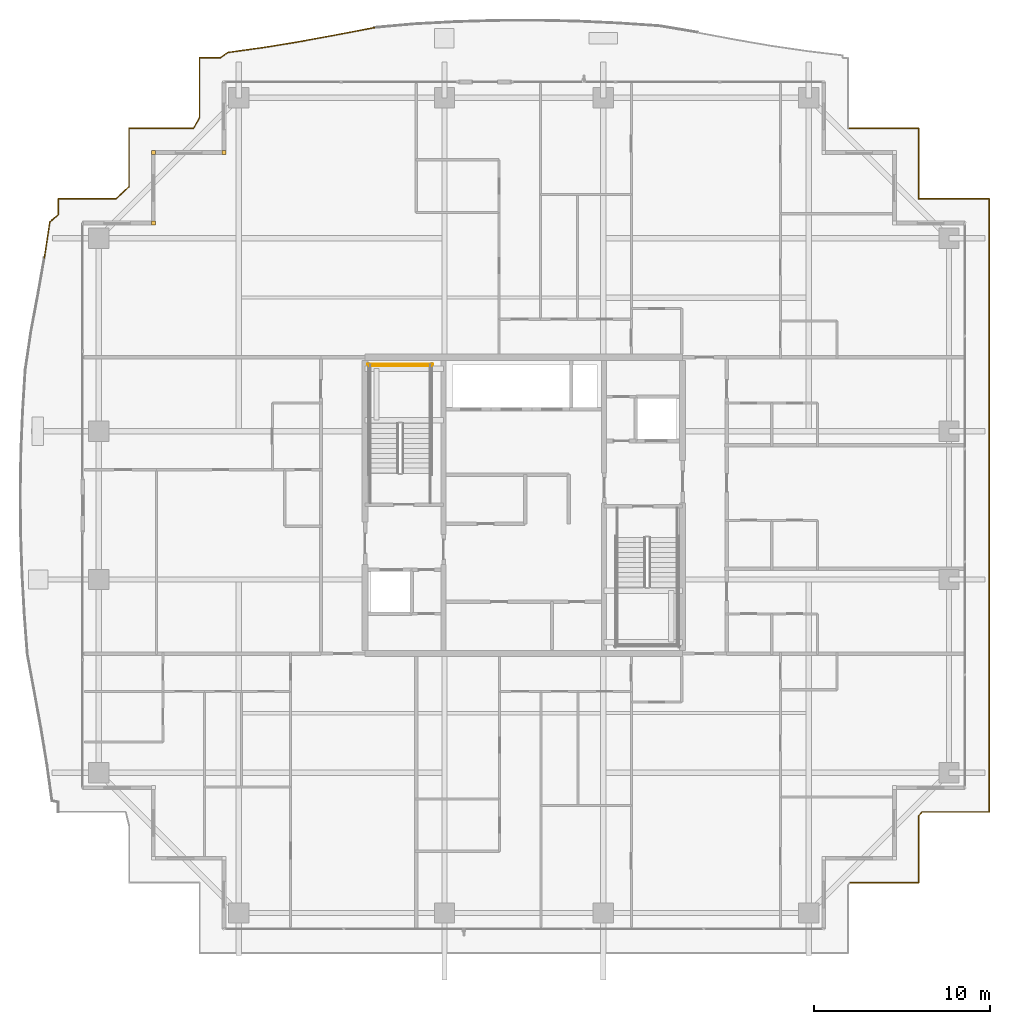
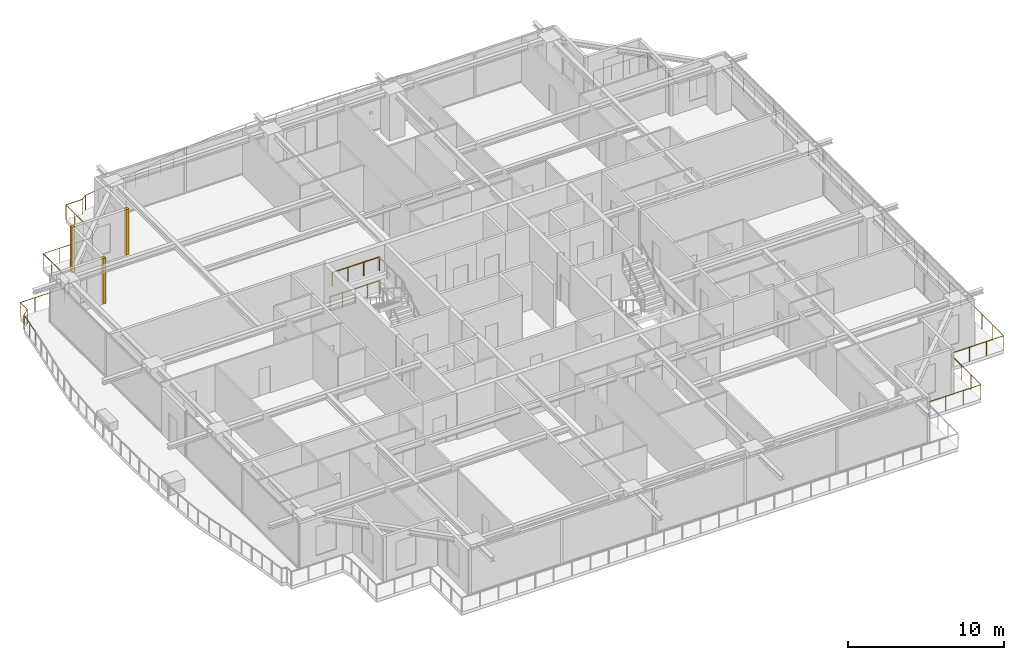
# One storey, part 39 of 40: 5 railings, 3 coverings.
"""IFC4 building model written with IfcOpenShell, lengths in metres."""

from ifc_helpers import new_model, si_unit, direction, frame, origin, origin_2d, place, context, subcontext, project, spatial, rectangle, circle, extrude, source, transform, mapped, material, layer, layer_set, type_object, element, save


model = new_model("IFC4")

# Units and contexts
model_context = context("Model", 3, precision=1e-05, world=origin(), true_north=direction((0.0, 1.0)))
body_context = subcontext(model_context, "Body", "Model", "MODEL_VIEW")
ifc_project = project(units=[si_unit("LENGTHUNIT", "METRE"), si_unit("AREAUNIT", "SQUARE_METRE"), si_unit("VOLUMEUNIT", "CUBIC_METRE"), si_unit("PLANEANGLEUNIT", "RADIAN"), si_unit("MASSUNIT", "GRAM", prefix="KILO")], contexts=[model_context])

# Site, building, storey
site_placement = place(None, origin())
site = spatial("IfcSite", under=ifc_project, at=site_placement, CompositionType="ELEMENT")
building_placement = place(site_placement, origin())
building = spatial("IfcBuilding", under=site, at=building_placement, Name="Serunith Strait Residences", CompositionType="ELEMENT")
storey_placement = place(building_placement, frame((0.0, 0.0, 252.800048828125)))
storey = spatial("IfcBuildingStorey", under=building, at=storey_placement, Name="L63", CompositionType="ELEMENT", Elevation=252.800048828125)

# Railings
ifc_material_1 = material(Name="Stainless Steel & Laminated Glass Balustrade", Category="steel")
railing_type_1 = type_object("IfcRailingType", Name="RLG-BALC-1150", PredefinedType="BALUSTRADE", material=ifc_material_1)
railing_1_placement = place(storey_placement, frame((5.225830078125, 39.239990234375, -0.050048828125)))
element("IfcRailing", 1, at=railing_1_placement, inside=storey, type_object=railing_type_1, Name="L63 Swirling Balcony Perimeter Balustrade 3", PredefinedType="BALUSTRADE", context=body_context, shape_type="SweptSolid", body=[
    extrude(circle(Radius=0.02392578125, at=origin_2d()), frame((0.000244140625, 0.001953125, 1.1259765625), z_axis=(0.150469731566, 0.988614616462, 0.0), x_axis=(-0.988614616462, 0.150469731566, 0.0)), (0.0, 0.0, 1.0), 2.053466796875),
    extrude(circle(Radius=0.02392578125, at=origin_2d()), frame((0.31103515625, 2.03515625, 1.1259765625), z_axis=(0.7650211231, 0.644005187255, 0.0), x_axis=(-0.644005187255, 0.7650211231, 0.0)), (0.0, 0.0, 1.0), 0.62939453125),
    extrude(circle(Radius=0.02392578125, at=origin_2d()), frame((0.794189453125, 2.44384765625, 1.1259765625), z_axis=(0.0, 1.0, 0.0), x_axis=(-1.0, 0.0, 0.0)), (0.0, 0.0, 1.0), 0.894287109375),
    extrude(circle(Radius=0.02392578125, at=origin_2d()), frame((0.796142578125, 3.340087890625, 1.1259765625), z_axis=(1.0, 0.0, 0.0), x_axis=(0.0, 1.0, 0.0)), (0.0, 0.0, 1.0), 3.257080078125),
    extrude(circle(Radius=0.02392578125, at=origin_2d()), frame((4.056640625, 3.341552734375, 1.1259765625), z_axis=(0.732526243441, 0.680738791807, 0.0), x_axis=(-0.680738791807, 0.732526243441, 0.0)), (0.0, 0.0, 1.0), 1.0048828125),
    extrude(circle(Radius=0.02392578125, at=origin_2d()), frame((4.794189453125, 4.02880859375, 1.1259765625), z_axis=(0.0, 1.0, 0.0), x_axis=(-1.0, 0.0, 0.0)), (0.0, 0.0, 1.0), 3.309326171875),
    extrude(circle(Radius=0.02392578125, at=origin_2d()), frame((4.796142578125, 7.340087890625, 1.1259765625), z_axis=(1.0, 0.0, 0.0), x_axis=(0.0, 1.0, 0.0)), (0.0, 0.0, 1.0), 3.660400390625),
    extrude(circle(Radius=0.02099609375, at=origin_2d()), origin(), (0.0, 0.0, 1.0), 1.099853515625),
    extrude(circle(Radius=0.02099609375, at=origin_2d()), frame((0.15478515625, 1.01708984375, 0.0)), (0.0, 0.0, 1.0), 1.099853515625),
    extrude(circle(Radius=0.02099609375, at=origin_2d()), frame((0.3095703125, 2.033935546875, 0.0)), (0.0, 0.0, 1.0), 1.099853515625),
    extrude(circle(Radius=0.02099609375, at=origin_2d()), frame((0.794189453125, 2.44189453125, 0.0)), (0.0, 0.0, 1.0), 1.099853515625),
    extrude(circle(Radius=0.02099609375, at=origin_2d()), frame((0.794189453125, 3.340087890625, 0.0)), (0.0, 0.0, 1.0), 1.099853515625),
    extrude(circle(Radius=0.02099609375, at=origin_2d()), frame((1.881103515625, 3.340087890625, 0.0)), (0.0, 0.0, 1.0), 1.099853515625),
    extrude(circle(Radius=0.02099609375, at=origin_2d()), frame((2.96826171875, 3.340087890625, 0.0)), (0.0, 0.0, 1.0), 1.099853515625),
    extrude(circle(Radius=0.02099609375, at=origin_2d()), frame((4.05517578125, 3.340087890625, 0.0)), (0.0, 0.0, 1.0), 1.099853515625),
    extrude(circle(Radius=0.02099609375, at=origin_2d()), frame((4.794189453125, 4.02685546875, 0.0)), (0.0, 0.0, 1.0), 1.099853515625),
    extrude(circle(Radius=0.02099609375, at=origin_2d()), frame((4.794189453125, 5.13134765625, 0.0)), (0.0, 0.0, 1.0), 1.099853515625),
    extrude(circle(Radius=0.02099609375, at=origin_2d()), frame((4.794189453125, 6.235595703125, 0.0)), (0.0, 0.0, 1.0), 1.099853515625),
    extrude(circle(Radius=0.02099609375, at=origin_2d()), frame((4.794189453125, 7.340087890625, 0.0)), (0.0, 0.0, 1.0), 1.099853515625),
    extrude(circle(Radius=0.02099609375, at=origin_2d()), frame((6.015625, 7.340087890625, 0.0)), (0.0, 0.0, 1.0), 1.099853515625),
    extrude(circle(Radius=0.02099609375, at=origin_2d()), frame((7.237060546875, 7.340087890625, 0.0)), (0.0, 0.0, 1.0), 1.099853515625),
    extrude(circle(Radius=0.02099609375, at=origin_2d()), frame((8.45849609375, 7.340087890625, 0.0)), (0.0, 0.0, 1.0), 1.099853515625),
])
railing_2_placement = place(storey_placement, frame((13.684326171875, 46.580078125, -0.050048828125)))
element("IfcRailing", 2, at=railing_2_placement, inside=storey, type_object=railing_type_1, Name="L63 Swirling Balcony Perimeter Balustrade 4", PredefinedType="BALUSTRADE", context=body_context, shape_type="SweptSolid", body=[
    extrude(circle(Radius=0.02392578125, at=origin_2d()), frame((0.0009765625, 0.001708984375, 1.1259765625), z_axis=(0.483998304754, 0.875068934996, 0.0), x_axis=(-0.875068934996, 0.483998304754, 0.0)), (0.0, 0.0, 1.0), 0.689697265625),
    extrude(circle(Radius=0.02392578125, at=origin_2d()), frame((0.335693359375, 0.60888671875, 1.1259765625), z_axis=(0.0, 1.0, 0.0), x_axis=(-1.0, 0.0, 0.0)), (0.0, 0.0, 1.0), 3.38916015625),
    extrude(circle(Radius=0.02392578125, at=origin_2d()), frame((0.337646484375, 4.0, 1.1259765625), z_axis=(1.0, 0.0, 0.0), x_axis=(0.0, 1.0, 0.0)), (0.0, 0.0, 1.0), 1.18896484375),
    extrude(circle(Radius=0.02392578125, at=origin_2d()), frame((1.5302734375, 4.001220703125, 1.1259765625), z_axis=(0.821259765607, 0.57055446488, 0.0), x_axis=(-0.57055446488, 0.821259765607, 0.0)), (0.0, 0.0, 1.0), 0.51513671875),
    extrude(circle(Radius=0.02392578125, at=origin_2d()), frame((1.956787109375, 4.29638671875, 1.1259765625), z_axis=(0.990662318859, 0.136338439159, 0.0), x_axis=(-0.136338439159, 0.990662318859, 0.0)), (0.0, 0.0, 1.0), 2.041015625),
    extrude(circle(Radius=0.02392578125, at=origin_2d()), frame((3.982666015625, 4.5751953125, 1.1259765625), z_axis=(0.9867637893, 0.162164188789, 0.0), x_axis=(-0.162164188789, 0.9867637893, 0.0)), (0.0, 0.0, 1.0), 2.069091796875),
    extrude(circle(Radius=0.02392578125, at=origin_2d()), frame((6.0283203125, 4.911376953125, 1.1259765625), z_axis=(0.983420763193, 0.181338364722, 0.0), x_axis=(-0.181338364722, 0.983420763193, 0.0)), (0.0, 0.0, 1.0), 2.115234375),
    extrude(circle(Radius=0.02392578125, at=origin_2d()), frame((8.1123046875, 5.2958984375, 1.1259765625), z_axis=(0.982380686298, 0.186890842976, 0.0), x_axis=(-0.186890842976, 0.982380686298, 0.0)), (0.0, 0.0, 1.0), 2.17626953125),
    extrude(circle(Radius=0.02099609375, at=origin_2d()), origin(), (0.0, 0.0, 1.0), 1.099853515625),
    extrude(circle(Radius=0.02099609375, at=origin_2d()), frame((0.335693359375, 0.60693359375, 0.0)), (0.0, 0.0, 1.0), 1.099853515625),
    extrude(circle(Radius=0.02099609375, at=origin_2d()), frame((0.335693359375, 1.738037109375, 0.0)), (0.0, 0.0, 1.0), 1.099853515625),
    extrude(circle(Radius=0.02099609375, at=origin_2d()), frame((0.335693359375, 2.868896484375, 0.0)), (0.0, 0.0, 1.0), 1.099853515625),
    extrude(circle(Radius=0.02099609375, at=origin_2d()), frame((0.335693359375, 4.0, 0.0)), (0.0, 0.0, 1.0), 1.099853515625),
    extrude(circle(Radius=0.02099609375, at=origin_2d()), frame((1.528564453125, 4.0, 0.0)), (0.0, 0.0, 1.0), 1.099853515625),
    extrude(circle(Radius=0.02099609375, at=origin_2d()), frame((1.954833984375, 4.296142578125, 0.0)), (0.0, 0.0, 1.0), 1.099853515625),
    extrude(circle(Radius=0.02099609375, at=origin_2d()), frame((2.9677734375, 4.435546875, 0.0)), (0.0, 0.0, 1.0), 1.099853515625),
    extrude(circle(Radius=0.02099609375, at=origin_2d()), frame((3.980712890625, 4.574951171875, 0.0)), (0.0, 0.0, 1.0), 1.099853515625),
    extrude(circle(Radius=0.02099609375, at=origin_2d()), frame((5.00341796875, 4.7431640625, 0.0)), (0.0, 0.0, 1.0), 1.099853515625),
    extrude(circle(Radius=0.02099609375, at=origin_2d()), frame((6.0263671875, 4.9111328125, 0.0)), (0.0, 0.0, 1.0), 1.099853515625),
    extrude(circle(Radius=0.02099609375, at=origin_2d()), frame((7.068359375, 5.103271484375, 0.0)), (0.0, 0.0, 1.0), 1.099853515625),
    extrude(circle(Radius=0.02099609375, at=origin_2d()), frame((8.1103515625, 5.29541015625, 0.0)), (0.0, 0.0, 1.0), 1.099853515625),
    extrude(circle(Radius=0.02099609375, at=origin_2d()), frame((9.18115234375, 5.4990234375, 0.0)), (0.0, 0.0, 1.0), 1.099853515625),
    extrude(circle(Radius=0.02099609375, at=origin_2d()), frame((10.252197265625, 5.702880859375, 0.0)), (0.0, 0.0, 1.0), 1.099853515625),
])
railing_3_placement = place(storey_placement, frame((50.780029296875, 46.580078125, -0.050048828125)))
element("IfcRailing", 3, at=railing_3_placement, inside=storey, type_object=railing_type_1, Name="L63 Swirling Balcony Perimeter Balustrade 7", PredefinedType="BALUSTRADE", context=body_context, shape_type="SweptSolid", body=[
    extrude(circle(Radius=0.02392578125, at=origin_2d()), frame((0.001953125, 0.0, 1.1259765625), z_axis=(1.0, 0.0, 0.0), x_axis=(0.0, 1.0, 0.0)), (0.0, 0.0, 1.0), 3.99609375),
    extrude(circle(Radius=0.02392578125, at=origin_2d()), frame((4.0, -0.001953125, 1.1259765625), z_axis=(0.0, -1.0, 0.0), x_axis=(1.0, 0.0, 0.0)), (0.0, 0.0, 1.0), 3.99609375),
    extrude(circle(Radius=0.02392578125, at=origin_2d()), frame((4.001953125, -4.0, 1.1259765625), z_axis=(1.0, 0.0, 0.0), x_axis=(0.0, 1.0, 0.0)), (0.0, 0.0, 1.0), 3.99609375),
    extrude(circle(Radius=0.02392578125, at=origin_2d()), frame((8.0, -4.001953125, 1.1259765625), z_axis=(0.0, -1.0, 0.0), x_axis=(1.0, 0.0, 0.0)), (0.0, 0.0, 1.0), 34.756103515625),
    extrude(circle(Radius=0.02392578125, at=origin_2d()), frame((7.998046875, -38.760009765625, 1.1259765625), z_axis=(-1.0, 0.0, 0.0), x_axis=(0.0, -1.0, 0.0)), (0.0, 0.0, 1.0), 3.801025390625),
    extrude(circle(Radius=0.02392578125, at=origin_2d()), frame((4.19384765625, -38.761474609375, 1.1259765625), z_axis=(-0.659789800433, -0.751450210756, 0.0), x_axis=(0.751450210756, -0.659789800433, 0.0)), (0.0, 0.0, 1.0), 0.291748046875),
    extrude(circle(Radius=0.02392578125, at=origin_2d()), frame((4.0, -38.984130859375, 1.1259765625), z_axis=(0.0, -1.0, 0.0), x_axis=(1.0, 0.0, 0.0)), (0.0, 0.0, 1.0), 3.77392578125),
    extrude(circle(Radius=0.02392578125, at=origin_2d()), frame((3.998046875, -42.760009765625, 1.1259765625), z_axis=(-1.0, 0.0, 0.0), x_axis=(0.0, -1.0, 0.0)), (0.0, 0.0, 1.0), 3.89501953125),
    extrude(circle(Radius=0.02099609375, at=origin_2d()), origin(), (0.0, 0.0, 1.0), 1.099853515625),
    extrude(circle(Radius=0.02099609375, at=origin_2d()), frame((1.333251953125, 0.0, 0.0)), (0.0, 0.0, 1.0), 1.099853515625),
    extrude(circle(Radius=0.02099609375, at=origin_2d()), frame((2.666748046875, 0.0, 0.0)), (0.0, 0.0, 1.0), 1.099853515625),
    extrude(circle(Radius=0.02099609375, at=origin_2d()), frame((4.0, 0.0, 0.0)), (0.0, 0.0, 1.0), 1.099853515625),
    extrude(circle(Radius=0.02099609375, at=origin_2d()), frame((4.0, -1.333251953125, 0.0)), (0.0, 0.0, 1.0), 1.099853515625),
    extrude(circle(Radius=0.02099609375, at=origin_2d()), frame((4.0, -2.666748046875, 0.0)), (0.0, 0.0, 1.0), 1.099853515625),
    extrude(circle(Radius=0.02099609375, at=origin_2d()), frame((4.0, -4.0, 0.0)), (0.0, 0.0, 1.0), 1.099853515625),
    extrude(circle(Radius=0.02099609375, at=origin_2d()), frame((5.333251953125, -4.0, 0.0)), (0.0, 0.0, 1.0), 1.099853515625),
    extrude(circle(Radius=0.02099609375, at=origin_2d()), frame((6.666748046875, -4.0, 0.0)), (0.0, 0.0, 1.0), 1.099853515625),
    extrude(circle(Radius=0.02099609375, at=origin_2d()), frame((8.0, -4.0, 0.0)), (0.0, 0.0, 1.0), 1.099853515625),
    extrude(circle(Radius=0.02099609375, at=origin_2d()), frame((8.0, -5.390380859375, 0.0)), (0.0, 0.0, 1.0), 1.099853515625),
    extrude(circle(Radius=0.02099609375, at=origin_2d()), frame((8.0, -6.78076171875, 0.0)), (0.0, 0.0, 1.0), 1.099853515625),
    extrude(circle(Radius=0.02099609375, at=origin_2d()), frame((8.0, -8.171142578125, 0.0)), (0.0, 0.0, 1.0), 1.099853515625),
    extrude(circle(Radius=0.02099609375, at=origin_2d()), frame((8.0, -9.5615234375, 0.0)), (0.0, 0.0, 1.0), 1.099853515625),
    extrude(circle(Radius=0.02099609375, at=origin_2d()), frame((8.0, -10.951904296875, 0.0)), (0.0, 0.0, 1.0), 1.099853515625),
    extrude(circle(Radius=0.02099609375, at=origin_2d()), frame((8.0, -12.34228515625, 0.0)), (0.0, 0.0, 1.0), 1.099853515625),
    extrude(circle(Radius=0.02099609375, at=origin_2d()), frame((8.0, -13.73291015625, 0.0)), (0.0, 0.0, 1.0), 1.099853515625),
    extrude(circle(Radius=0.02099609375, at=origin_2d()), frame((8.0, -15.123291015625, 0.0)), (0.0, 0.0, 1.0), 1.099853515625),
    extrude(circle(Radius=0.02099609375, at=origin_2d()), frame((8.0, -16.513671875, 0.0)), (0.0, 0.0, 1.0), 1.099853515625),
    extrude(circle(Radius=0.02099609375, at=origin_2d()), frame((8.0, -17.904052734375, 0.0)), (0.0, 0.0, 1.0), 1.099853515625),
    extrude(circle(Radius=0.02099609375, at=origin_2d()), frame((8.0, -19.29443359375, 0.0)), (0.0, 0.0, 1.0), 1.099853515625),
    extrude(circle(Radius=0.02099609375, at=origin_2d()), frame((8.0, -20.684814453125, 0.0)), (0.0, 0.0, 1.0), 1.099853515625),
    extrude(circle(Radius=0.02099609375, at=origin_2d()), frame((8.0, -22.0751953125, 0.0)), (0.0, 0.0, 1.0), 1.099853515625),
    extrude(circle(Radius=0.02099609375, at=origin_2d()), frame((8.0, -23.465576171875, 0.0)), (0.0, 0.0, 1.0), 1.099853515625),
    extrude(circle(Radius=0.02099609375, at=origin_2d()), frame((8.0, -24.85595703125, 0.0)), (0.0, 0.0, 1.0), 1.099853515625),
    extrude(circle(Radius=0.02099609375, at=origin_2d()), frame((8.0, -26.246337890625, 0.0)), (0.0, 0.0, 1.0), 1.099853515625),
    extrude(circle(Radius=0.02099609375, at=origin_2d()), frame((8.0, -27.63671875, 0.0)), (0.0, 0.0, 1.0), 1.099853515625),
    extrude(circle(Radius=0.02099609375, at=origin_2d()), frame((8.0, -29.027099609375, 0.0)), (0.0, 0.0, 1.0), 1.099853515625),
    extrude(circle(Radius=0.02099609375, at=origin_2d()), frame((8.0, -30.417724609375, 0.0)), (0.0, 0.0, 1.0), 1.099853515625),
    extrude(circle(Radius=0.02099609375, at=origin_2d()), frame((8.0, -31.80810546875, 0.0)), (0.0, 0.0, 1.0), 1.099853515625),
    extrude(circle(Radius=0.02099609375, at=origin_2d()), frame((8.0, -33.198486328125, 0.0)), (0.0, 0.0, 1.0), 1.099853515625),
    extrude(circle(Radius=0.02099609375, at=origin_2d()), frame((8.0, -34.5888671875, 0.0)), (0.0, 0.0, 1.0), 1.099853515625),
    extrude(circle(Radius=0.02099609375, at=origin_2d()), frame((8.0, -35.979248046875, 0.0)), (0.0, 0.0, 1.0), 1.099853515625),
    extrude(circle(Radius=0.02099609375, at=origin_2d()), frame((8.0, -37.36962890625, 0.0)), (0.0, 0.0, 1.0), 1.099853515625),
    extrude(circle(Radius=0.02099609375, at=origin_2d()), frame((8.0, -38.760009765625, 0.0)), (0.0, 0.0, 1.0), 1.099853515625),
    extrude(circle(Radius=0.02099609375, at=origin_2d()), frame((6.731689453125, -38.760009765625, 0.0)), (0.0, 0.0, 1.0), 1.099853515625),
    extrude(circle(Radius=0.02099609375, at=origin_2d()), frame((5.46337890625, -38.760009765625, 0.0)), (0.0, 0.0, 1.0), 1.099853515625),
    extrude(circle(Radius=0.02099609375, at=origin_2d()), frame((4.195068359375, -38.760009765625, 0.0)), (0.0, 0.0, 1.0), 1.099853515625),
    extrude(circle(Radius=0.02099609375, at=origin_2d()), frame((4.0, -38.982177734375, 0.0)), (0.0, 0.0, 1.0), 1.099853515625),
    extrude(circle(Radius=0.02099609375, at=origin_2d()), frame((4.0, -40.241455078125, 0.0)), (0.0, 0.0, 1.0), 1.099853515625),
    extrude(circle(Radius=0.02099609375, at=origin_2d()), frame((4.0, -41.500732421875, 0.0)), (0.0, 0.0, 1.0), 1.099853515625),
    extrude(circle(Radius=0.02099609375, at=origin_2d()), frame((4.0, -42.760009765625, 0.0)), (0.0, 0.0, 1.0), 1.099853515625),
    extrude(circle(Radius=0.02099609375, at=origin_2d()), frame((2.700439453125, -42.760009765625, 0.0)), (0.0, 0.0, 1.0), 1.099853515625),
    extrude(circle(Radius=0.02099609375, at=origin_2d()), frame((1.400634765625, -42.760009765625, 0.0)), (0.0, 0.0, 1.0), 1.099853515625),
    extrude(circle(Radius=0.02099609375, at=origin_2d()), frame((0.10107421875, -42.760009765625, 0.0)), (0.0, 0.0, 1.0), 1.099853515625),
])
ifc_material_2 = material(Name="Brushed stainless steel 316L", Category="steel")
railing_type_2 = type_object("IfcRailingType", Name="RLG-STAIR-GUARD", PredefinedType="BALUSTRADE", material=ifc_material_2)
railing_4_placement = place(storey_placement, frame((27.14990234375, 33.10009765625, 1.925048828125)))
element("IfcRailing", 4, at=railing_4_placement, inside=storey, type_object=railing_type_2, Name="L63 ST-1 stair guard 5", PredefinedType="BALUSTRADE", context=body_context, shape_type="SweptSolid", body=[
    extrude(circle(Radius=0.02392578125, at=origin_2d()), frame((-0.001953125, 0.0, 1.076171875), z_axis=(-1.0, 0.0, 0.0), x_axis=(0.0, -1.0, 0.0)), (0.0, 0.0, 1.0), 3.49609375),
    extrude(circle(Radius=0.02099609375, at=origin_2d()), origin(), (0.0, 0.0, 1.0), 1.050048828125),
    extrude(circle(Radius=0.02099609375, at=origin_2d()), frame((-1.166748046875, 0.0, 0.0)), (0.0, 0.0, 1.0), 1.050048828125),
    extrude(circle(Radius=0.02099609375, at=origin_2d()), frame((-2.333251953125, 0.0, 0.0)), (0.0, 0.0, 1.0), 1.050048828125),
    extrude(circle(Radius=0.02099609375, at=origin_2d()), frame((-3.5, 0.0, 0.0)), (0.0, 0.0, 1.0), 1.050048828125),
])
railing_5_placement = place(storey_placement, frame((27.25, 33.199951171875, 0.0)))
element("IfcRailing", 5, at=railing_5_placement, inside=storey, type_object=railing_type_2, Name="L63 ST-1 stair guard 12", PredefinedType="BALUSTRADE", context=body_context, shape_type="SweptSolid", body=[
    extrude(circle(Radius=0.02392578125, at=origin_2d()), frame((-0.001953125, 0.0, 1.076171875), z_axis=(-1.0, 0.0, 0.0), x_axis=(0.0, -1.0, 0.0)), (0.0, 0.0, 1.0), 3.696044921875),
    extrude(circle(Radius=0.02099609375, at=origin_2d()), origin(), (0.0, 0.0, 1.0), 1.050048828125),
    extrude(circle(Radius=0.02099609375, at=origin_2d()), frame((-0.925048828125, 0.0, 0.0)), (0.0, 0.0, 1.0), 1.050048828125),
    extrude(circle(Radius=0.02099609375, at=origin_2d()), frame((-1.85009765625, 0.0, 0.0)), (0.0, 0.0, 1.0), 1.050048828125),
    extrude(circle(Radius=0.02099609375, at=origin_2d()), frame((-2.77490234375, 0.0, 0.0)), (0.0, 0.0, 1.0), 1.050048828125),
    extrude(circle(Radius=0.02099609375, at=origin_2d()), frame((-3.699951171875, 0.0, 0.0)), (0.0, 0.0, 1.0), 1.050048828125),
])

# Coverings
ifc_material_3 = material(Name="Pale-Champagne Anodised Aluminium", Category="aluminium")
ifc_layer = layer(ifc_material_3, 0.219970703125, Name="Pale-Champagne Anodised Aluminium")
ifc_layer_set = layer_set([ifc_layer], Name="Pale-Champagne Anodised Aluminium")
covering_type = type_object("IfcCoveringType", Name="COV-CORN-TRIM", PredefinedType="CLADDING", material=ifc_layer_set)
shared_shape = source(origin(), body_context, "Body", "SweptSolid", [
    extrude(rectangle(XDim=0.221923828125, YDim=0.221923828125, at=origin_2d()), origin(), (0.0, 0.0, 1.0), 3.574951171875),
])
for number, where, z_axis, x_axis, name in (
    (6, (15.39990234375, 45.199951171875, 0.0), (0.0, 0.0, 1.0), (1.0, 0.0, 0.0), "L63 Girih Serrated Corner Trim Post 12"),
    (7, (11.39990234375, 45.199951171875, 0.0), (0.0, 0.0, 1.0), (1.0, 0.0, 0.0), "L63 Girih Serrated Corner Trim Post 13"),
    (8, (11.39990234375, 41.199951171875, 0.0), (0.0, 0.0, 1.0), (1.0, 0.0, 0.0), "L63 Girih Serrated Corner Trim Post 14"),
):
    element("IfcCovering", number, at=place(storey_placement, frame(where, z_axis=z_axis, x_axis=x_axis)), inside=storey, type_object=covering_type, Name=name, PredefinedType="CLADDING", context=body_context, shape_type="MappedRepresentation", body=[
        mapped(shared_shape, transform((0.0, 0.0, 0.0), scale=1.0)),
    ])

save(model, "model.ifc")
